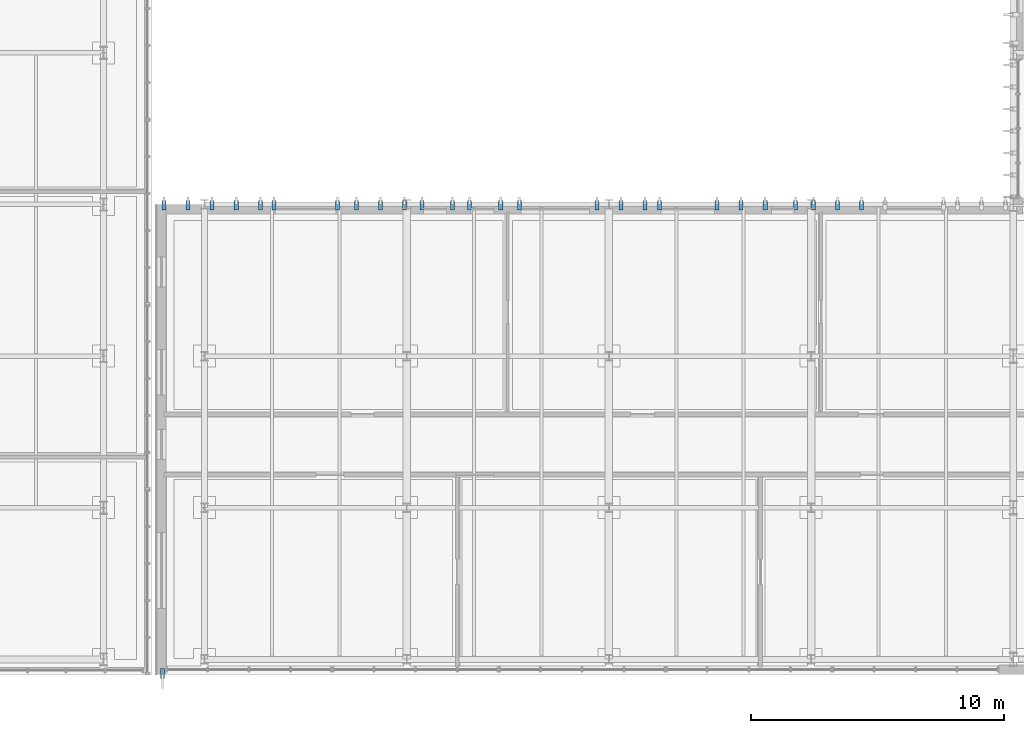
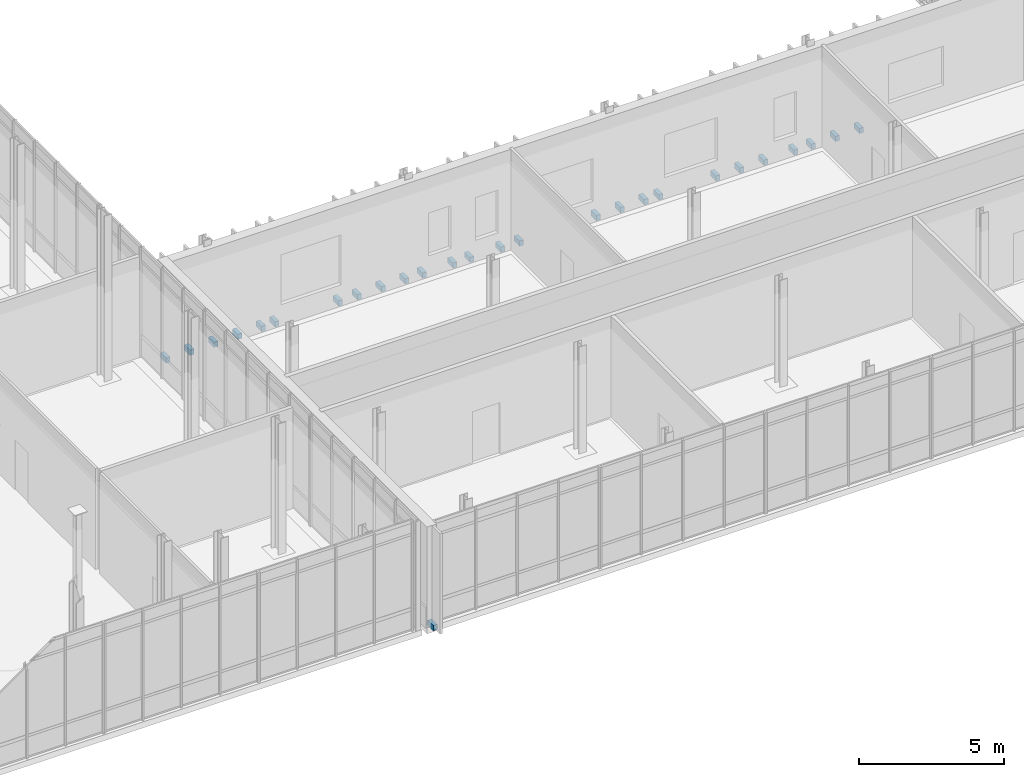
# One storey, part 69 of 86: 27 discrete accessories.
"""IFC4 building model written with IfcOpenShell, lengths in metres."""

from ifc_helpers import new_model, si_unit, direction, frame, origin, origin_2d, place, context, subcontext, project, spatial, rectangle, extrude, material, type_object, element, save


model = new_model("IFC4")

# Units and contexts
model_context = context("Model", 3, precision=1e-05, world=origin(), true_north=direction((0.0, 1.0)))
body_context = subcontext(model_context, "Body", "Model", "MODEL_VIEW")
ifc_project = project(units=[si_unit("LENGTHUNIT", "METRE"), si_unit("AREAUNIT", "SQUARE_METRE"), si_unit("VOLUMEUNIT", "CUBIC_METRE"), si_unit("PLANEANGLEUNIT", "RADIAN"), si_unit("MASSUNIT", "GRAM", prefix="KILO")], contexts=[model_context])

# Site, building, storey
site_placement = place(None, origin())
site = spatial("IfcSite", under=ifc_project, at=site_placement, CompositionType="ELEMENT")
building_placement = place(site_placement, origin())
building = spatial("IfcBuilding", under=site, at=building_placement, Name="Cymarion Research Institute", CompositionType="ELEMENT")
storey_placement = place(building_placement, frame((0.0, 0.0, 13.800048828125)))
storey = spatial("IfcBuildingStorey", under=building, at=storey_placement, Name="L03", CompositionType="ELEMENT", Elevation=13.800048828125)

# Discrete accessories
ifc_material = material(Name="Steel S355", Category="steel")
discrete_accessory_type = type_object("IfcDiscreteAccessoryType", Name="STAINLESS STEEL FACADE FIN BRACKET FBK1", PredefinedType="BRACKET", material=ifc_material)
for number, where, z_axis, x_axis, name in (
    (1, (104.93994140625, 4.93994140625, -0.08984375), (0.0, 0.0, 1.0), (0.0, -1.0, 0.0), "L03 V1 precast fin anchor bracket #316"),
    (2, (132.59130859375, 23.4599609375, -0.08984375), (0.0, 0.0, 1.0), (0.0, 1.0, 0.0), "L03 V1 precast fin anchor bracket #393"),
    (3, (131.639892578125, 23.4599609375, -0.08984375), (0.0, 0.0, 1.0), (0.0, 1.0, 0.0), "L03 V1 precast fin anchor bracket #394"),
    (4, (130.688720703125, 23.4599609375, -0.08984375), (0.0, 0.0, 1.0), (0.0, 1.0, 0.0), "L03 V1 precast fin anchor bracket #395"),
    (5, (129.989990234375, 23.4599609375, -0.08984375), (0.0, 0.0, 1.0), (0.0, 1.0, 0.0), "L03 V1 precast fin anchor bracket #396"),
    (6, (128.78564453125, 23.4599609375, -0.08984375), (0.0, 0.0, 1.0), (0.0, 1.0, 0.0), "L03 V1 precast fin anchor bracket #397"),
    (7, (127.834228515625, 23.4599609375, -0.08984375), (0.0, 0.0, 1.0), (0.0, 1.0, 0.0), "L03 V1 precast fin anchor bracket #398"),
    (8, (126.8828125, 23.4599609375, -0.08984375), (0.0, 0.0, 1.0), (0.0, 1.0, 0.0), "L03 V1 precast fin anchor bracket #399"),
    (9, (124.610107421875, 23.4599609375, -0.08984375), (0.0, 0.0, 1.0), (0.0, 1.0, 0.0), "L03 V1 precast fin anchor bracket #400"),
    (10, (124.028564453125, 23.4599609375, -0.08984375), (0.0, 0.0, 1.0), (0.0, 1.0, 0.0), "L03 V1 precast fin anchor bracket #401"),
    (11, (123.0771484375, 23.4599609375, -0.08984375), (0.0, 0.0, 1.0), (0.0, 1.0, 0.0), "L03 V1 precast fin anchor bracket #402"),
    (12, (122.125732421875, 23.4599609375, -0.08984375), (0.0, 0.0, 1.0), (0.0, 1.0, 0.0), "L03 V1 precast fin anchor bracket #403"),
    (13, (119.070068359375, 23.4599609375, -0.08984375), (0.0, 0.0, 1.0), (0.0, 1.0, 0.0), "L03 V1 precast fin anchor bracket #404"),
    (14, (118.320068359375, 23.4599609375, -0.08984375), (0.0, 0.0, 1.0), (0.0, 1.0, 0.0), "L03 V1 precast fin anchor bracket #405"),
    (15, (117.090087890625, 23.4599609375, -0.08984375), (0.0, 0.0, 1.0), (0.0, 1.0, 0.0), "L03 V1 precast fin anchor bracket #406"),
    (16, (116.4169921875, 23.4599609375, -0.08984375), (0.0, 0.0, 1.0), (0.0, 1.0, 0.0), "L03 V1 precast fin anchor bracket #407"),
    (17, (115.2099609375, 23.4599609375, -0.08984375), (0.0, 0.0, 1.0), (0.0, 1.0, 0.0), "L03 V1 precast fin anchor bracket #408"),
    (18, (114.514404296875, 23.4599609375, -0.08984375), (0.0, 0.0, 1.0), (0.0, 1.0, 0.0), "L03 V1 precast fin anchor bracket #409"),
    (19, (113.56298828125, 23.4599609375, -0.08984375), (0.0, 0.0, 1.0), (0.0, 1.0, 0.0), "L03 V1 precast fin anchor bracket #410"),
    (20, (112.611328125, 23.4599609375, -0.08984375), (0.0, 0.0, 1.0), (0.0, 1.0, 0.0), "L03 V1 precast fin anchor bracket #411"),
    (21, (111.860107421875, 23.4599609375, -0.08984375), (0.0, 0.0, 1.0), (0.0, 1.0, 0.0), "L03 V1 precast fin anchor bracket #412"),
    (22, (109.340087890625, 23.4599609375, -0.08984375), (0.0, 0.0, 1.0), (0.0, 1.0, 0.0), "L03 V1 precast fin anchor bracket #413"),
    (23, (108.8056640625, 23.4599609375, -0.08984375), (0.0, 0.0, 1.0), (0.0, 1.0, 0.0), "L03 V1 precast fin anchor bracket #414"),
    (24, (107.854248046875, 23.4599609375, -0.08984375), (0.0, 0.0, 1.0), (0.0, 1.0, 0.0), "L03 V1 precast fin anchor bracket #415"),
    (25, (106.90283203125, 23.4599609375, -0.08984375), (0.0, 0.0, 1.0), (0.0, 1.0, 0.0), "L03 V1 precast fin anchor bracket #416"),
    (26, (105.951416015625, 23.4599609375, -0.08984375), (0.0, 0.0, 1.0), (0.0, 1.0, 0.0), "L03 V1 precast fin anchor bracket #417"),
    (27, (105.0, 23.4599609375, -0.08984375), (0.0, 0.0, 1.0), (0.0, 1.0, 0.0), "L03 V1 precast fin anchor bracket #418"),
):
    element("IfcDiscreteAccessory", number, at=place(storey_placement, frame(where, z_axis=z_axis, x_axis=x_axis)), inside=storey, type_object=discrete_accessory_type, Name=name, PredefinedType="BRACKET", context=body_context, shape_type="SweptSolid", body=[
        extrude(rectangle(XDim=0.3798828125, YDim=0.159912109375, at=origin_2d()), origin(), (0.0, 0.0, 1.0), 0.219970703125),
    ])

save(model, "model.ifc")
